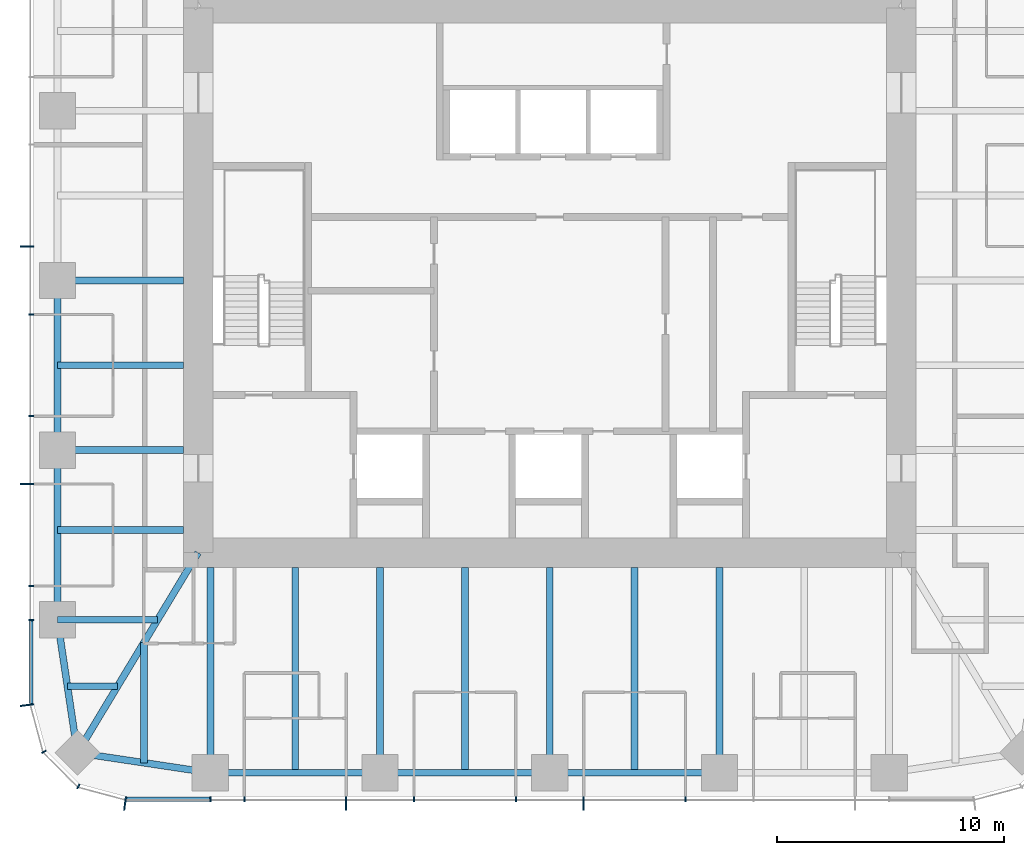
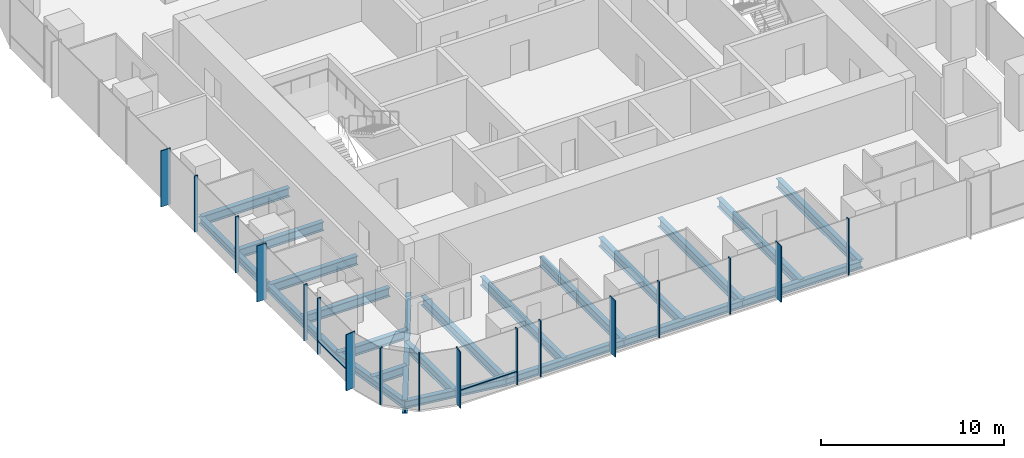
# One storey, part 2 of 12: 22 beams, 19 members, 3 elements without a shape of their own.
"""IFC4 building model written with IfcOpenShell, lengths in metres."""

from ifc_helpers import new_model, si_unit, direction, frame, origin, origin_2d, place, context, subcontext, project, spatial, rectangle, i_section, extrude, material, material_profile, profile_set, type_object, element, aggregate, save


model = new_model("IFC4")

# Units and contexts
model_context = context("Model", 3, precision=1e-05, world=origin(), true_north=direction((0.0, 1.0)))
body_context = subcontext(model_context, "Body", "Model", "MODEL_VIEW")
ifc_project = project(units=[si_unit("LENGTHUNIT", "METRE"), si_unit("AREAUNIT", "SQUARE_METRE"), si_unit("VOLUMEUNIT", "CUBIC_METRE"), si_unit("PLANEANGLEUNIT", "RADIAN"), si_unit("MASSUNIT", "GRAM", prefix="KILO")], contexts=[model_context])

# Site, building, storey
site_placement = place(None, origin())
site = spatial("IfcSite", under=ifc_project, at=site_placement, CompositionType="ELEMENT")
building_placement = place(site_placement, origin())
building = spatial("IfcBuilding", under=site, at=building_placement, Name="Khuree Lantern Residences", CompositionType="ELEMENT")
storey_placement = place(building_placement, frame((0.0, 0.0, 345.75)))
storey = spatial("IfcBuildingStorey", under=building, at=storey_placement, Name="L87", CompositionType="ELEMENT", Elevation=345.75)

# Beams
ifc_material_1 = material(Name="Steel S355", Category="steel")
ifc_material_profile_1 = material_profile(ifc_material_1, i_section(OverallWidth=0.300048828125, OverallDepth=0.590087890625, WebThickness=0.012939453125, FlangeThickness=0.02490234375, FilletRadius=0.027099609375, at=origin_2d()), Name="HE 600 A")
ifc_profile_set_1 = profile_set([ifc_material_profile_1], Name="Steel S355")
beam_type_1 = type_object("IfcBeamType", Name="B-45 SECONDARY BEAM HE 600 A", PredefinedType="BEAM", material=ifc_profile_set_1)
for number, where, z_axis, x_axis, name in (
    (1, (3.739990234375, -21.699951171875, -0.544921875), (0.0, 1.0, 0.0), (-1.0, 0.0, 0.0), "Secondary beam S3"),
    (2, (-3.739990234375, -21.699951171875, -0.544921875), (0.0, 1.0, 0.0), (-1.0, 0.0, 0.0), "Secondary beam S4"),
    (3, (-11.219970703125, -21.699951171875, -0.544921875), (0.0, 1.0, 0.0), (-1.0, 0.0, 0.0), "Secondary beam S5"),
):
    element("IfcBeam", number, at=place(storey_placement, frame(where, z_axis=z_axis, x_axis=x_axis)), inside=storey, type_object=beam_type_1, Name=name, PredefinedType="BEAM", context=body_context, shape_type="SweptSolid", body=[
        extrude(i_section(OverallWidth=0.300048828125, OverallDepth=0.590087890625, WebThickness=0.012939453125, FlangeThickness=0.02490234375, FilletRadius=0.027099609375, at=origin_2d()), origin(), (0.0, 0.0, 1.0), 9.050048828125),
    ])
beam_1_placement = place(storey_placement, frame((-17.890625, -21.2607421875, -0.544921875), z_axis=(0.0, 1.0, 0.0), x_axis=(-1.0, 0.0, 0.0)))
element("IfcBeam", 4, at=beam_1_placement, inside=storey, type_object=beam_type_1, Name="Secondary beam S6", PredefinedType="BEAM", context=body_context, shape_type="SweptSolid", body=[
    extrude(i_section(OverallWidth=0.300048828125, OverallDepth=0.590087890625, WebThickness=0.012939453125, FlangeThickness=0.02490234375, FilletRadius=0.027099609375, at=origin_2d()), origin(), (0.0, 0.0, 1.0), 5.297607421875),
])
beam_2_placement = place(storey_placement, frame((-21.2607421875, -17.890625, -0.544921875), z_axis=(1.0, 0.0, 0.0), x_axis=(0.0, 1.0, 0.0)))
element("IfcBeam", 5, at=beam_2_placement, inside=storey, type_object=beam_type_1, Name="Secondary beam W1", PredefinedType="BEAM", context=body_context, shape_type="SweptSolid", body=[
    extrude(i_section(OverallWidth=0.300048828125, OverallDepth=0.590087890625, WebThickness=0.012939453125, FlangeThickness=0.02490234375, FilletRadius=0.027099609375, at=origin_2d()), origin(), (0.0, 0.0, 1.0), 2.207275390625),
])
for number, where, z_axis, x_axis, name in (
    (6, (-21.699951171875, -11.0, -0.544921875), (1.0, 0.0, 0.0), (0.0, 1.0, 0.0), "Secondary beam W2"),
    (7, (-21.699951171875, -3.739990234375, -0.544921875), (1.0, 0.0, 0.0), (0.0, 1.0, 0.0), "Secondary beam W3"),
):
    element("IfcBeam", number, at=place(storey_placement, frame(where, z_axis=z_axis, x_axis=x_axis)), inside=storey, type_object=beam_type_1, Name=name, PredefinedType="BEAM", context=body_context, shape_type="SweptSolid", body=[
        extrude(i_section(OverallWidth=0.300048828125, OverallDepth=0.590087890625, WebThickness=0.012939453125, FlangeThickness=0.02490234375, FilletRadius=0.027099609375, at=origin_2d()), origin(), (0.0, 0.0, 1.0), 5.550048828125),
    ])
ifc_material_profile_2 = material_profile(ifc_material_1, i_section(OverallWidth=0.300048828125, OverallDepth=0.489990234375, WebThickness=0.011962890625, FlangeThickness=0.02294921875, FilletRadius=0.027099609375, at=origin_2d()), Name="HE 500 A")
ifc_profile_set_2 = profile_set([ifc_material_profile_2], Name="Steel S355")
beam_type_2 = type_object("IfcBeamType", Name="E-45 SPANDREL BEAM HE 500 A", PredefinedType="SPANDREL", material=ifc_profile_set_2)
for number, where, z_axis, x_axis, name in (
    (8, (7.47998046875, -21.699951171875, -0.4951171875), (-1.0, 0.0, 0.0), (0.0, -1.0, 0.0), "Spandrel beam S3"),
    (9, (0.0, -21.699951171875, -0.4951171875), (-1.0, 0.0, 0.0), (0.0, -1.0, 0.0), "Spandrel beam S4"),
    (10, (-7.47998046875, -21.699951171875, -0.4951171875), (-1.0, 0.0, 0.0), (0.0, -1.0, 0.0), "Spandrel beam S5"),
):
    element("IfcBeam", number, at=place(storey_placement, frame(where, z_axis=z_axis, x_axis=x_axis)), inside=storey, type_object=beam_type_2, Name=name, PredefinedType="SPANDREL", context=body_context, shape_type="SweptSolid", body=[
        extrude(i_section(OverallWidth=0.300048828125, OverallDepth=0.489990234375, WebThickness=0.011962890625, FlangeThickness=0.02294921875, FilletRadius=0.027099609375, at=origin_2d()), origin(), (0.0, 0.0, 1.0), 7.47998046875),
    ])
for number, where, z_axis, x_axis, name in (
    (11, (-14.9599609375, -21.699951171875, -0.4951171875), (-0.988949643299, 0.148251822985, 0.0), (-0.148251822985, -0.988949643299, 0.0), "Spandrel beam S6"),
    (12, (-20.8212890625, -20.8212890625, -0.4951171875), (-0.148251822985, 0.988949643299, 0.0), (-0.988949643299, -0.148251822985, 0.0), "Spandrel beam W1"),
):
    element("IfcBeam", number, at=place(storey_placement, frame(where, z_axis=z_axis, x_axis=x_axis)), inside=storey, type_object=beam_type_2, Name=name, PredefinedType="SPANDREL", context=body_context, shape_type="SweptSolid", body=[
        extrude(i_section(OverallWidth=0.300048828125, OverallDepth=0.489990234375, WebThickness=0.011962890625, FlangeThickness=0.02294921875, FilletRadius=0.027099609375, at=origin_2d()), origin(), (0.0, 0.0, 1.0), 5.9267578125),
    ])
for number, where, z_axis, x_axis, name in (
    (13, (-21.699951171875, -14.9599609375, -0.4951171875), (0.0, 1.0, 0.0), (-1.0, 0.0, 0.0), "Spandrel beam W2"),
    (14, (-21.699951171875, -7.47998046875, -0.4951171875), (0.0, 1.0, 0.0), (-1.0, 0.0, 0.0), "Spandrel beam W3"),
):
    element("IfcBeam", number, at=place(storey_placement, frame(where, z_axis=z_axis, x_axis=x_axis)), inside=storey, type_object=beam_type_2, Name=name, PredefinedType="SPANDREL", context=body_context, shape_type="SweptSolid", body=[
        extrude(i_section(OverallWidth=0.300048828125, OverallDepth=0.489990234375, WebThickness=0.011962890625, FlangeThickness=0.02294921875, FilletRadius=0.027099609375, at=origin_2d()), origin(), (0.0, 0.0, 1.0), 7.47998046875),
    ])

# Curtain wall, members
ifc_material_2 = material(Name="Bronze anodised aluminium", Category="aluminium")
curtain_wall_type_1 = type_object("IfcCurtainWallType", Name="CW-T1 TOWER FACE CURTAIN WALL", PredefinedType="USERDEFINED", material=ifc_material_2)
curtain_wall_1_placement = place(storey_placement, origin())
curtain_wall_1 = element("IfcCurtainWall", 15, at=curtain_wall_1_placement, inside=storey, type_object=curtain_wall_type_1, Name="L87 WEST FACE CURTAIN WALL", ObjectType="Stick-built curtain wall", PredefinedType="USERDEFINED")
ifc_material_profile_3 = material_profile(ifc_material_2, rectangle(XDim=0.06494140625, YDim=0.60009765625, at=origin_2d()), Name="F1 65X600")
ifc_profile_set_3 = profile_set([ifc_material_profile_3], Name="Bronze anodised aluminium")
member_type_1 = type_object("IfcMemberType", Name="F1 BRONZE FIN MULLION TOWER 65X600", PredefinedType="MULLION", material=ifc_profile_set_3)
member_1_placement = place(storey_placement, frame((-23.050048828125, 1.49609375, 0.0), z_axis=(0.0, 0.0, 1.0), x_axis=(0.0, -1.0, 0.0)))
member_1 = element("IfcMember", 16, at=member_1_placement, type_object=member_type_1, Name="L87 WEST FACE FIN MULLION 37", PredefinedType="MULLION", context=body_context, shape_type="SweptSolid", body=[
    extrude(rectangle(XDim=0.06494140625, YDim=0.60009765625, at=origin_2d()), origin(), (0.0, 0.0, 1.0), 3.75),
])
member_2_placement = place(storey_placement, frame((-23.050048828125, -8.97607421875, 0.0), z_axis=(0.0, 0.0, 1.0), x_axis=(0.0, -1.0, 0.0)))
member_2 = element("IfcMember", 17, at=member_2_placement, type_object=member_type_1, Name="L87 WEST FACE FIN MULLION 40", PredefinedType="MULLION", context=body_context, shape_type="SweptSolid", body=[
    extrude(rectangle(XDim=0.06494140625, YDim=0.60009765625, at=origin_2d()), origin(), (0.0, 0.0, 1.0), 3.75),
])

# Curtain wall, member
curtain_wall_type_2 = type_object("IfcCurtainWallType", Name="CW-T2 TOWER CORNER CURTAIN WALL", PredefinedType="USERDEFINED", material=ifc_material_2)
curtain_wall_2_placement = place(storey_placement, origin())
curtain_wall_2 = element("IfcCurtainWall", 18, at=curtain_wall_2_placement, inside=storey, type_object=curtain_wall_type_2, Name="L87 SOUTH-WEST CORNER CURTAIN WALL", ObjectType="Faceted corner curtain wall", PredefinedType="USERDEFINED")
member_3_placement = place(storey_placement, frame((-23.050048828125, -18.7197265625, 0.0), z_axis=(0.0, 0.0, 1.0), x_axis=(0.130526125236, -0.991444870192, 0.0)))
member_3 = element("IfcMember", 19, at=member_3_placement, type_object=member_type_1, Name="L87 SOUTH-WEST CORNER FIN MULLION 43", PredefinedType="MULLION", context=body_context, shape_type="SweptSolid", body=[
    extrude(rectangle(XDim=0.06494140625, YDim=0.60009765625, at=origin_2d()), origin(), (0.0, 0.0, 1.0), 3.75),
])

# Curtain wall, members
curtain_wall_3_placement = place(storey_placement, origin())
curtain_wall_3 = element("IfcCurtainWall", 20, at=curtain_wall_3_placement, inside=storey, type_object=curtain_wall_type_1, Name="L87 SOUTH FACE CURTAIN WALL", ObjectType="Stick-built curtain wall", PredefinedType="USERDEFINED")
member_4_placement = place(storey_placement, frame((-18.7197265625, -23.050048828125, 0.0), z_axis=(0.0, 0.0, 1.0), x_axis=(0.991444870192, -0.130526125236, 0.0)))
member_4 = element("IfcMember", 21, at=member_4_placement, type_object=member_type_1, Name="L87 SOUTH FACE FIN MULLION 46", PredefinedType="MULLION", context=body_context, shape_type="SweptSolid", body=[
    extrude(rectangle(XDim=0.06494140625, YDim=0.60009765625, at=origin_2d()), origin(), (0.0, 0.0, 1.0), 3.75),
])
member_5_placement = place(storey_placement, frame((-8.97607421875, -23.050048828125, 0.0), z_axis=(0.0, 0.0, 1.0), x_axis=(1.0, 0.0, 0.0)))
member_5 = element("IfcMember", 22, at=member_5_placement, type_object=member_type_1, Name="L87 SOUTH FACE FIN MULLION 49", PredefinedType="MULLION", context=body_context, shape_type="SweptSolid", body=[
    extrude(rectangle(XDim=0.06494140625, YDim=0.60009765625, at=origin_2d()), origin(), (0.0, 0.0, 1.0), 3.75),
])
member_6_placement = place(storey_placement, frame((1.49609375, -23.050048828125, 0.0), z_axis=(0.0, 0.0, 1.0), x_axis=(1.0, 0.0, 0.0)))
member_6 = element("IfcMember", 23, at=member_6_placement, type_object=member_type_1, Name="L87 SOUTH FACE FIN MULLION 52", PredefinedType="MULLION", context=body_context, shape_type="SweptSolid", body=[
    extrude(rectangle(XDim=0.06494140625, YDim=0.60009765625, at=origin_2d()), origin(), (0.0, 0.0, 1.0), 3.75),
])

# Beams
ifc_material_profile_4 = material_profile(ifc_material_1, i_section(OverallWidth=0.300048828125, OverallDepth=0.60009765625, WebThickness=0.015380859375, FlangeThickness=0.030029296875, FilletRadius=0.027099609375, at=origin_2d()), Name="HE 600 B")
ifc_profile_set_4 = profile_set([ifc_material_profile_4], Name="Steel S355")
beam_type_3 = type_object("IfcBeamType", Name="G-45 GIRDER HE 600 B", PredefinedType="BEAM", material=ifc_profile_set_4)
for number, where, z_axis, x_axis, name in (
    (24, (7.47998046875, -21.699951171875, -0.550048828125), (0.0, 1.0, 0.0), (-1.0, 0.0, 0.0), "Girder S2"),
    (25, (0.0, -21.699951171875, -0.550048828125), (0.0, 1.0, 0.0), (-1.0, 0.0, 0.0), "Girder S3"),
    (26, (-7.47998046875, -21.699951171875, -0.550048828125), (0.0, 1.0, 0.0), (-1.0, 0.0, 0.0), "Girder S4"),
    (27, (-14.9599609375, -21.699951171875, -0.550048828125), (0.0, 1.0, 0.0), (-1.0, 0.0, 0.0), "Girder S5"),
):
    element("IfcBeam", number, at=place(storey_placement, frame(where, z_axis=z_axis, x_axis=x_axis)), inside=storey, type_object=beam_type_3, Name=name, PredefinedType="BEAM", context=body_context, shape_type="SweptSolid", body=[
        extrude(i_section(OverallWidth=0.300048828125, OverallDepth=0.60009765625, WebThickness=0.015380859375, FlangeThickness=0.030029296875, FilletRadius=0.027099609375, at=origin_2d()), origin(), (0.0, 0.0, 1.0), 9.050048828125),
    ])
beam_3_placement = place(storey_placement, frame((-21.699951171875, -14.9599609375, -0.550048828125), z_axis=(1.0, 0.0, 0.0), x_axis=(0.0, 1.0, 0.0)))
element("IfcBeam", 28, at=beam_3_placement, inside=storey, type_object=beam_type_3, Name="Girder W1", PredefinedType="BEAM", context=body_context, shape_type="SweptSolid", body=[
    extrude(i_section(OverallWidth=0.300048828125, OverallDepth=0.60009765625, WebThickness=0.015380859375, FlangeThickness=0.030029296875, FilletRadius=0.027099609375, at=origin_2d()), origin(), (0.0, 0.0, 1.0), 4.414306640625),
])
for number, where, z_axis, x_axis, name in (
    (29, (-21.699951171875, -7.47998046875, -0.550048828125), (1.0, 0.0, 0.0), (0.0, 1.0, 0.0), "Girder W2"),
    (30, (-21.699951171875, 0.0, -0.550048828125), (1.0, 0.0, 0.0), (0.0, 1.0, 0.0), "Girder W3"),
):
    element("IfcBeam", number, at=place(storey_placement, frame(where, z_axis=z_axis, x_axis=x_axis)), inside=storey, type_object=beam_type_3, Name=name, PredefinedType="BEAM", context=body_context, shape_type="SweptSolid", body=[
        extrude(i_section(OverallWidth=0.300048828125, OverallDepth=0.60009765625, WebThickness=0.015380859375, FlangeThickness=0.030029296875, FilletRadius=0.027099609375, at=origin_2d()), origin(), (0.0, 0.0, 1.0), 5.550048828125),
    ])
ifc_material_profile_5 = material_profile(ifc_material_1, i_section(OverallWidth=0.300048828125, OverallDepth=0.89990234375, WebThickness=0.0185546875, FlangeThickness=0.034912109375, FilletRadius=0.030029296875, at=origin_2d()), Name="HE 900 B")
ifc_profile_set_5 = profile_set([ifc_material_profile_5], Name="Steel S355")
beam_type_4 = type_object("IfcBeamType", Name="GD-45 CORNER GIRDER HE 900 B", PredefinedType="BEAM", material=ifc_profile_set_5)
beam_4_placement = place(storey_placement, frame((-20.8212890625, -20.8212890625, -0.699951171875), z_axis=(0.516529577604, 0.856269347495, 0.0), x_axis=(-0.856269347495, 0.516529577604, 0.0)))
element("IfcBeam", 31, at=beam_4_placement, inside=storey, type_object=beam_type_4, Name="Corner girder SW", PredefinedType="BEAM", context=body_context, shape_type="SweptSolid", body=[
    extrude(i_section(OverallWidth=0.300048828125, OverallDepth=0.89990234375, WebThickness=0.0185546875, FlangeThickness=0.034912109375, FilletRadius=0.030029296875, at=origin_2d()), origin(), (0.0, 0.0, 1.0), 10.302001953125),
])

# Member
ifc_material_profile_6 = material_profile(ifc_material_2, rectangle(XDim=0.06494140625, YDim=0.219970703125, at=origin_2d()), Name="M1 65X220")
ifc_profile_set_6 = profile_set([ifc_material_profile_6], Name="Bronze anodised aluminium")
member_type_2 = type_object("IfcMemberType", Name="M1 BRONZE MULLION TOWER 65X220", PredefinedType="MULLION", material=ifc_profile_set_6)
member_7_placement = place(storey_placement, frame((-22.860107421875, -1.49609375, 0.0), z_axis=(0.0, 0.0, 1.0), x_axis=(0.0, -1.0, 0.0)))
member_7 = element("IfcMember", 32, at=member_7_placement, type_object=member_type_2, Name="L87 WEST FACE MULLION 38", PredefinedType="MULLION", context=body_context, shape_type="SweptSolid", body=[
    extrude(rectangle(XDim=0.06494140625, YDim=0.219970703125, at=origin_2d()), origin(), (0.0, 0.0, 1.0), 3.75),
])

member_8_placement = place(storey_placement, frame((-22.860107421875, -5.98388671875, 0.0), z_axis=(0.0, 0.0, 1.0), x_axis=(0.0, -1.0, 0.0)))
member_8 = element("IfcMember", 33, at=member_8_placement, type_object=member_type_2, Name="L87 WEST FACE MULLION 39", PredefinedType="MULLION", context=body_context, shape_type="SweptSolid", body=[
    extrude(rectangle(XDim=0.06494140625, YDim=0.219970703125, at=origin_2d()), origin(), (0.0, 0.0, 1.0), 3.75),
])

member_9_placement = place(storey_placement, frame((-22.860107421875, -13.464111328125, 0.0), z_axis=(0.0, 0.0, 1.0), x_axis=(0.0, -1.0, 0.0)))
member_9 = element("IfcMember", 34, at=member_9_placement, type_object=member_type_2, Name="L87 WEST FACE MULLION 41", PredefinedType="MULLION", context=body_context, shape_type="SweptSolid", body=[
    extrude(rectangle(XDim=0.06494140625, YDim=0.219970703125, at=origin_2d()), origin(), (0.0, 0.0, 1.0), 3.75),
])

member_10_placement = place(storey_placement, frame((-22.860107421875, -14.9599609375, 0.0), z_axis=(0.0, 0.0, 1.0), x_axis=(0.0, -1.0, 0.0)))
member_10 = element("IfcMember", 35, at=member_10_placement, type_object=member_type_2, Name="L87 WEST FACE MULLION 42", PredefinedType="MULLION", context=body_context, shape_type="SweptSolid", body=[
    extrude(rectangle(XDim=0.06494140625, YDim=0.219970703125, at=origin_2d()), origin(), (0.0, 0.0, 1.0), 3.75),
])

member_11_placement = place(storey_placement, frame((-22.302734375, -20.780029296875, 0.0), z_axis=(0.0, 0.0, 1.0), x_axis=(0.49999994149, -0.866025437565, 0.0)))
member_11 = element("IfcMember", 36, at=member_11_placement, type_object=member_type_2, Name="L87 SOUTH-WEST CORNER MULLION 44", PredefinedType="MULLION", context=body_context, shape_type="SweptSolid", body=[
    extrude(rectangle(XDim=0.06494140625, YDim=0.219970703125, at=origin_2d()), origin(), (0.0, 0.0, 1.0), 3.75),
])

member_12_placement = place(storey_placement, frame((-20.780029296875, -22.302734375, 0.0), z_axis=(0.0, 0.0, 1.0), x_axis=(0.866025437565, -0.49999994149, 0.0)))
member_12 = element("IfcMember", 37, at=member_12_placement, type_object=member_type_2, Name="L87 SOUTH-WEST CORNER MULLION 45", PredefinedType="MULLION", context=body_context, shape_type="SweptSolid", body=[
    extrude(rectangle(XDim=0.06494140625, YDim=0.219970703125, at=origin_2d()), origin(), (0.0, 0.0, 1.0), 3.75),
])

aggregate(curtain_wall_2, [member_3, member_11, member_12])

member_13_placement = place(storey_placement, frame((-14.9599609375, -22.860107421875, 0.0), z_axis=(0.0, 0.0, 1.0), x_axis=(1.0, 0.0, 0.0)))
member_13 = element("IfcMember", 38, at=member_13_placement, type_object=member_type_2, Name="L87 SOUTH FACE MULLION 47", PredefinedType="MULLION", context=body_context, shape_type="SweptSolid", body=[
    extrude(rectangle(XDim=0.06494140625, YDim=0.219970703125, at=origin_2d()), origin(), (0.0, 0.0, 1.0), 3.75),
])

member_14_placement = place(storey_placement, frame((-13.464111328125, -22.860107421875, 0.0), z_axis=(0.0, 0.0, 1.0), x_axis=(1.0, 0.0, 0.0)))
member_14 = element("IfcMember", 39, at=member_14_placement, type_object=member_type_2, Name="L87 SOUTH FACE MULLION 48", PredefinedType="MULLION", context=body_context, shape_type="SweptSolid", body=[
    extrude(rectangle(XDim=0.06494140625, YDim=0.219970703125, at=origin_2d()), origin(), (0.0, 0.0, 1.0), 3.75),
])

member_15_placement = place(storey_placement, frame((-5.98388671875, -22.860107421875, 0.0), z_axis=(0.0, 0.0, 1.0), x_axis=(1.0, 0.0, 0.0)))
member_15 = element("IfcMember", 40, at=member_15_placement, type_object=member_type_2, Name="L87 SOUTH FACE MULLION 50", PredefinedType="MULLION", context=body_context, shape_type="SweptSolid", body=[
    extrude(rectangle(XDim=0.06494140625, YDim=0.219970703125, at=origin_2d()), origin(), (0.0, 0.0, 1.0), 3.75),
])

member_16_placement = place(storey_placement, frame((-1.49609375, -22.860107421875, 0.0), z_axis=(0.0, 0.0, 1.0), x_axis=(1.0, 0.0, 0.0)))
member_16 = element("IfcMember", 41, at=member_16_placement, type_object=member_type_2, Name="L87 SOUTH FACE MULLION 51", PredefinedType="MULLION", context=body_context, shape_type="SweptSolid", body=[
    extrude(rectangle(XDim=0.06494140625, YDim=0.219970703125, at=origin_2d()), origin(), (0.0, 0.0, 1.0), 3.75),
])

member_17_placement = place(storey_placement, frame((5.98388671875, -22.860107421875, 0.0), z_axis=(0.0, 0.0, 1.0), x_axis=(1.0, 0.0, 0.0)))
member_17 = element("IfcMember", 42, at=member_17_placement, type_object=member_type_2, Name="L87 SOUTH FACE MULLION 53", PredefinedType="MULLION", context=body_context, shape_type="SweptSolid", body=[
    extrude(rectangle(XDim=0.06494140625, YDim=0.219970703125, at=origin_2d()), origin(), (0.0, 0.0, 1.0), 3.75),
])

ifc_material_profile_7 = material_profile(ifc_material_2, rectangle(XDim=0.179931640625, YDim=0.06494140625, at=origin_2d()), Name="T1 180X65")
ifc_profile_set_7 = profile_set([ifc_material_profile_7], Name="Bronze anodised aluminium")
member_type_3 = type_object("IfcMemberType", Name="TRANSOM T1 TOWER 180X65", PredefinedType="USERDEFINED", material=ifc_profile_set_7)
member_18_placement = place(storey_placement, frame((-22.8701171875, -14.992431640625, 0.89990234375), z_axis=(0.0, -1.0, 0.0), x_axis=(1.0, 0.0, 0.0)))
member_18 = element("IfcMember", 43, at=member_18_placement, type_object=member_type_3, Name="L87 WEST FACE TRANSOM 42.1", ObjectType="Transom", PredefinedType="USERDEFINED", context=body_context, shape_type="SweptSolid", body=[
    extrude(rectangle(XDim=0.179931640625, YDim=0.06494140625, at=origin_2d()), origin(), (0.0, 0.0, 1.0), 3.658935546875),
])

aggregate(curtain_wall_1, [member_1, member_7, member_8, member_2, member_9, member_10, member_18])

member_19_placement = place(storey_placement, frame((-18.6513671875, -22.8701171875, 0.89990234375), z_axis=(1.0, 0.0, 0.0), x_axis=(0.0, 1.0, 0.0)))
member_19 = element("IfcMember", 44, at=member_19_placement, type_object=member_type_3, Name="L87 SOUTH FACE TRANSOM 46.1", ObjectType="Transom", PredefinedType="USERDEFINED", context=body_context, shape_type="SweptSolid", body=[
    extrude(rectangle(XDim=0.179931640625, YDim=0.06494140625, at=origin_2d()), origin(), (0.0, 0.0, 1.0), 3.658935546875),
])

aggregate(curtain_wall_3, [member_4, member_13, member_14, member_5, member_15, member_16, member_6, member_17, member_19])

save(model, "model.ifc")
